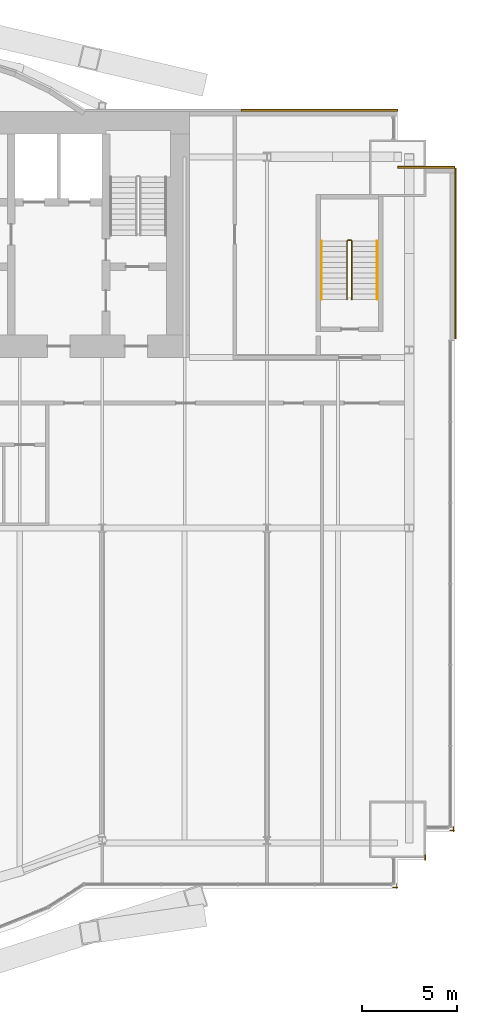
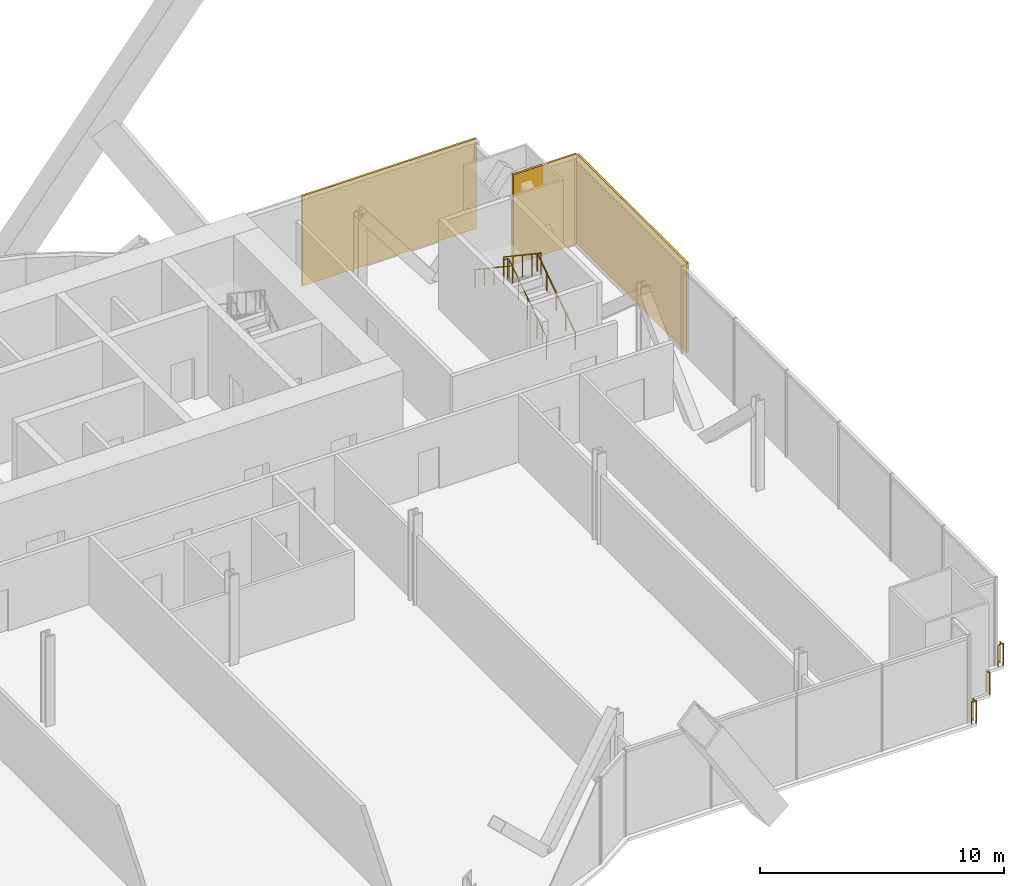
# One storey, part 23 of 23: 6 railings, 3 coverings.
"""IFC4 building model written with IfcOpenShell, lengths in metres."""

from ifc_helpers import new_model, si_unit, direction, frame, origin, origin_2d, place, context, subcontext, project, spatial, rectangle, circle, extrude, material, layer, layer_set, type_object, element, save


model = new_model("IFC4")

# Units and contexts
model_context = context("Model", 3, precision=1e-05, world=origin(), true_north=direction((0.0, 1.0)))
body_context = subcontext(model_context, "Body", "Model", "MODEL_VIEW")
ifc_project = project(units=[si_unit("LENGTHUNIT", "METRE"), si_unit("AREAUNIT", "SQUARE_METRE"), si_unit("VOLUMEUNIT", "CUBIC_METRE"), si_unit("PLANEANGLEUNIT", "RADIAN"), si_unit("MASSUNIT", "GRAM", prefix="KILO")], contexts=[model_context])

# Site, building, storey
site_placement = place(None, origin())
site = spatial("IfcSite", under=ifc_project, at=site_placement, CompositionType="ELEMENT")
building_placement = place(site_placement, origin())
building = spatial("IfcBuilding", under=site, at=building_placement, Name="Bicima Exchange Tower", CompositionType="ELEMENT")
storey_placement = place(building_placement, frame((0.0, 0.0, 53.0)))
storey = spatial("IfcBuildingStorey", under=building, at=storey_placement, Name="L10", CompositionType="ELEMENT", Elevation=53.0)

# Coverings
ifc_material_1 = material(Name="Bronze metal cladding")
ifc_layer_1 = layer(ifc_material_1, 0.004)
ifc_material_2 = material(Name="Ventilated cavity")
ifc_layer_2 = layer(ifc_material_2, 0.06)
ifc_material_3 = material(Name="Galvanised steel rail and mineral wool", Category="steel")
ifc_layer_3 = layer(ifc_material_3, 0.036)
ifc_layer_set = layer_set([ifc_layer_1, ifc_layer_2, ifc_layer_3], Name="Ventilated cavity")
covering_type = type_object("IfcCoveringType", Name="Bronze metal cladding panel 100", PredefinedType="CLADDING", material=ifc_layer_set)
covering_1_placement = place(storey_placement, frame((28.875, 0.050048828125, -0.14990234375), z_axis=(0.0, 0.0, 1.0), x_axis=(-1.0, 0.0, 0.0)))
element("IfcCovering", 1, at=covering_1_placement, inside=storey, type_object=covering_type, Name="Bronze cladding L10 1.1", PredefinedType="CLADDING", context=body_context, shape_type="SweptSolid", body=[
    extrude(rectangle(XDim=8.25, YDim=0.10009765625, at=origin_2d()), origin(), (0.0, 0.0, 1.0), 4.5),
])
covering_2_placement = place(storey_placement, frame((36.050048828125, -7.5, -0.14990234375), z_axis=(0.0, 0.0, 1.0), x_axis=(0.0, 1.0, 0.0)))
element("IfcCovering", 2, at=covering_2_placement, inside=storey, type_object=covering_type, Name="Bronze cladding L10 50.1", PredefinedType="CLADDING", context=body_context, shape_type="SweptSolid", body=[
    extrude(rectangle(XDim=9.0, YDim=0.10009765625, at=origin_2d()), origin(), (0.0, 0.0, 1.0), 4.5),
])
covering_3_placement = place(storey_placement, frame((34.5, -2.949951171875, -0.14990234375), z_axis=(0.0, 0.0, 1.0), x_axis=(-1.0, 0.0, 0.0)))
element("IfcCovering", 3, at=covering_3_placement, inside=storey, type_object=covering_type, Name="Bronze cladding L10 51.1", PredefinedType="CLADDING", context=body_context, shape_type="SweptSolid", body=[
    extrude(rectangle(XDim=3.0, YDim=0.10009765625, at=origin_2d()), origin(), (0.0, 0.0, 1.0), 4.5),
])

# Railings
ifc_material_4 = material(Name="Stainless steel and bonded safety glass", Category="steel")
railing_type_1 = type_object("IfcRailingType", Name="Edge guard 1100", PredefinedType="GUARDRAIL", material=ifc_material_4)
railing_1_placement = place(storey_placement, frame((35.949951171875, -37.77587890625, 0.0)))
element("IfcRailing", 4, at=railing_1_placement, inside=storey, type_object=railing_type_1, Name="Edge guard L10 40", PredefinedType="GUARDRAIL", context=body_context, shape_type="SweptSolid", body=[
    extrude(circle(Radius=0.02392578125, at=origin_2d()), frame((0.0, 0.0, 1.076171875), z_axis=(0.0, -1.0, 0.0), x_axis=(1.0, 0.0, 0.0)), (0.0, 0.0, 1.0), 0.248046875),
    extrude(circle(Radius=0.02392578125, at=origin_2d()), frame((0.0, -0.248046875, 1.076171875), z_axis=(0.708833529934, 0.705375805398, 0.0), x_axis=(-0.705375805398, 0.708833529934, 0.0)), (0.0, 0.0, 1.0), 0.070556640625),
    extrude(circle(Radius=0.02392578125, at=origin_2d()), frame((0.050048828125, -0.1982421875, 1.076171875), z_axis=(-1.0, 0.0, 0.0), x_axis=(0.0, -1.0, 0.0)), (0.0, 0.0, 1.0), 0.25),
    extrude(circle(Radius=0.02099609375, at=origin_2d()), origin(), (0.0, 0.0, 1.0), 1.052001953125),
    extrude(circle(Radius=0.02099609375, at=origin_2d()), frame((0.0, -0.248046875, 0.0)), (0.0, 0.0, 1.0), 1.052001953125),
    extrude(circle(Radius=0.02099609375, at=origin_2d()), frame((0.050048828125, -0.1982421875, 0.0)), (0.0, 0.0, 1.0), 1.052001953125),
    extrude(circle(Radius=0.02099609375, at=origin_2d()), frame((-0.199951171875, -0.1982421875, 0.0)), (0.0, 0.0, 1.0), 1.052001953125),
])
railing_2_placement = place(storey_placement, frame((34.449951171875, -39.27392578125, 0.0)))
element("IfcRailing", 5, at=railing_2_placement, inside=storey, type_object=railing_type_1, Name="Edge guard L10 41", PredefinedType="GUARDRAIL", context=body_context, shape_type="SweptSolid", body=[
    extrude(circle(Radius=0.02392578125, at=origin_2d()), frame((0.0, 0.0, 1.076171875), z_axis=(0.0, -1.0, 0.0), x_axis=(1.0, 0.0, 0.0)), (0.0, 0.0, 1.0), 0.25),
    extrude(circle(Radius=0.02099609375, at=origin_2d()), origin(), (0.0, 0.0, 1.0), 1.052001953125),
    extrude(circle(Radius=0.02099609375, at=origin_2d()), frame((0.0, -0.25, 0.0)), (0.0, 0.0, 1.0), 1.052001953125),
])
railing_3_placement = place(storey_placement, frame((32.949951171875, -40.77392578125, 0.0)))
element("IfcRailing", 6, at=railing_3_placement, inside=storey, type_object=railing_type_1, Name="Edge guard L10 42", PredefinedType="GUARDRAIL", context=body_context, shape_type="SweptSolid", body=[
    extrude(circle(Radius=0.02392578125, at=origin_2d()), frame((0.0, 0.0, 1.076171875), z_axis=(0.0, -1.0, 0.0), x_axis=(1.0, 0.0, 0.0)), (0.0, 0.0, 1.0), 0.25),
    extrude(circle(Radius=0.02392578125, at=origin_2d()), frame((0.0, -0.25, 1.076171875), z_axis=(0.708833529934, 0.705375805398, 0.0), x_axis=(-0.705375805398, 0.708833529934, 0.0)), (0.0, 0.0, 1.0), 0.070556640625),
    extrude(circle(Radius=0.02392578125, at=origin_2d()), frame((0.050048828125, -0.2001953125, 1.076171875), z_axis=(-1.0, 0.0, 0.0), x_axis=(0.0, -1.0, 0.0)), (0.0, 0.0, 1.0), 0.25),
    extrude(circle(Radius=0.02099609375, at=origin_2d()), origin(), (0.0, 0.0, 1.0), 1.052001953125),
    extrude(circle(Radius=0.02099609375, at=origin_2d()), frame((0.0, -0.25, 0.0)), (0.0, 0.0, 1.0), 1.052001953125),
    extrude(circle(Radius=0.02099609375, at=origin_2d()), frame((0.050048828125, -0.2001953125, 0.0)), (0.0, 0.0, 1.0), 1.052001953125),
    extrude(circle(Radius=0.02099609375, at=origin_2d()), frame((-0.199951171875, -0.2001953125, 0.0)), (0.0, 0.0, 1.0), 1.052001953125),
])
ifc_material_5 = material(Name="Stainless steel", Category="steel")
railing_type_2 = type_object("IfcRailingType", Name="Stair guard 1100", PredefinedType="GUARDRAIL", material=ifc_material_5)
railing_4_placement = place(storey_placement, frame((30.574951171875, -9.925048828125, 0.1875)))
element("IfcRailing", 7, at=railing_4_placement, inside=storey, type_object=railing_type_2, Name="L10 ST-EE stair guard 1", PredefinedType="GUARDRAIL", context=body_context, shape_type="SweptSolid", body=[
    extrude(circle(Radius=0.02392578125, at=origin_2d()), frame((0.0, 0.0, 1.076171875), z_axis=(0.0, 0.830913701846, 0.55640131208), x_axis=(-1.0, 0.0, 0.0)), (0.0, 0.0, 1.0), 3.706787109375),
    extrude(circle(Radius=0.02392578125, at=origin_2d()), frame((0.0, 3.080078125, 3.138671875), z_axis=(-0.707106781187, 0.707106781187, 0.0), x_axis=(-0.707106781187, -0.707106781187, 0.0)), (0.0, 0.0, 1.0), 0.07080078125),
    extrude(circle(Radius=0.02392578125, at=origin_2d()), frame((-0.050048828125, 3.130126953125, 3.138671875), z_axis=(-1.0, 0.0, 0.0), x_axis=(0.0, -1.0, 0.0)), (0.0, 0.0, 1.0), 0.14990234375),
    extrude(circle(Radius=0.02392578125, at=origin_2d()), frame((-0.199951171875, 3.130126953125, 3.138671875), z_axis=(-0.249726431254, -0.249726431254, 0.935560483917), x_axis=(0.707106781187, -0.707106781187, 0.0)), (0.0, 0.0, 1.0), 0.200439453125),
    extrude(circle(Radius=0.02392578125, at=origin_2d()), frame((-0.25, 3.080078125, 3.326171875), z_axis=(0.0, -0.830913701846, 0.55640131208), x_axis=(1.0, 0.0, 0.0)), (0.0, 0.0, 1.0), 3.706787109375),
    extrude(circle(Radius=0.02099609375, at=origin_2d()), origin(), (0.0, 0.0, 1.0), 1.052001953125),
    extrude(circle(Radius=0.02099609375, at=origin_2d()), frame((0.0, 0.77001953125, 0.515625)), (0.0, 0.0, 1.0), 1.052001953125),
    extrude(circle(Radius=0.02099609375, at=origin_2d()), frame((0.0, 1.5400390625, 1.03125)), (0.0, 0.0, 1.0), 1.052001953125),
    extrude(circle(Radius=0.02099609375, at=origin_2d()), frame((0.0, 2.31005859375, 1.546875)), (0.0, 0.0, 1.0), 1.052001953125),
    extrude(circle(Radius=0.02099609375, at=origin_2d()), frame((0.0, 3.080078125, 2.0625)), (0.0, 0.0, 1.0), 1.052001953125),
    extrude(circle(Radius=0.02099609375, at=origin_2d()), frame((-0.050048828125, 3.130126953125, 2.0625)), (0.0, 0.0, 1.0), 1.052001953125),
    extrude(circle(Radius=0.02099609375, at=origin_2d()), frame((-0.199951171875, 3.130126953125, 2.0625)), (0.0, 0.0, 1.0), 1.052001953125),
    extrude(circle(Radius=0.02099609375, at=origin_2d()), frame((-0.25, 3.080078125, 2.25)), (0.0, 0.0, 1.0), 1.052001953125),
    extrude(circle(Radius=0.02099609375, at=origin_2d()), frame((-0.25, 2.31005859375, 2.765625)), (0.0, 0.0, 1.0), 1.052001953125),
    extrude(circle(Radius=0.02099609375, at=origin_2d()), frame((-0.25, 1.5400390625, 3.28125)), (0.0, 0.0, 1.0), 1.052001953125),
    extrude(circle(Radius=0.02099609375, at=origin_2d()), frame((-0.25, 0.77001953125, 3.796875)), (0.0, 0.0, 1.0), 1.052001953125),
    extrude(circle(Radius=0.02099609375, at=origin_2d()), frame((-0.25, 0.0, 4.3125)), (0.0, 0.0, 1.0), 1.052001953125),
])
railing_type_3 = type_object("IfcRailingType", Name="Stair handrail 900", PredefinedType="HANDRAIL", material=ifc_material_5)
railing_5_placement = place(storey_placement, frame((31.925048828125, -9.925048828125, 0.1875)))
element("IfcRailing", 8, at=railing_5_placement, inside=storey, type_object=railing_type_3, Name="L10 ST-EE stair handrail 1", PredefinedType="HANDRAIL", context=body_context, shape_type="SweptSolid", body=[
    extrude(circle(Radius=0.02392578125, at=origin_2d()), frame((0.0, 0.0, 0.8759765625), z_axis=(0.0, 0.830913701846, 0.55640131208), x_axis=(-1.0, 0.0, 0.0)), (0.0, 0.0, 1.0), 3.706787109375),
    extrude(circle(Radius=0.02099609375, at=origin_2d()), origin(), (0.0, 0.0, 1.0), 0.851806640625),
    extrude(circle(Radius=0.02099609375, at=origin_2d()), frame((0.0, 0.77001953125, 0.515625)), (0.0, 0.0, 1.0), 0.851806640625),
    extrude(circle(Radius=0.02099609375, at=origin_2d()), frame((0.0, 1.5400390625, 1.03125)), (0.0, 0.0, 1.0), 0.851806640625),
    extrude(circle(Radius=0.02099609375, at=origin_2d()), frame((0.0, 2.31005859375, 1.546875)), (0.0, 0.0, 1.0), 0.851806640625),
    extrude(circle(Radius=0.02099609375, at=origin_2d()), frame((0.0, 3.080078125, 2.0625)), (0.0, 0.0, 1.0), 0.851806640625),
])
railing_6_placement = place(storey_placement, frame((28.97509765625, -6.844970703125, 2.47900390625)))
element("IfcRailing", 9, at=railing_6_placement, inside=storey, type_object=railing_type_3, Name="L10 ST-EE stair handrail 2", PredefinedType="HANDRAIL", context=body_context, shape_type="SweptSolid", body=[
    extrude(circle(Radius=0.02392578125, at=origin_2d()), frame((0.0, 0.0, 0.8759765625), z_axis=(0.0, -0.830913701846, 0.55640131208), x_axis=(1.0, 0.0, 0.0)), (0.0, 0.0, 1.0), 3.706787109375),
    extrude(circle(Radius=0.02099609375, at=origin_2d()), origin(), (0.0, 0.0, 1.0), 0.851806640625),
    extrude(circle(Radius=0.02099609375, at=origin_2d()), frame((0.0, -0.77001953125, 0.515625)), (0.0, 0.0, 1.0), 0.851806640625),
    extrude(circle(Radius=0.02099609375, at=origin_2d()), frame((0.0, -1.5400390625, 1.03125)), (0.0, 0.0, 1.0), 0.851806640625),
    extrude(circle(Radius=0.02099609375, at=origin_2d()), frame((0.0, -2.31005859375, 1.546875)), (0.0, 0.0, 1.0), 0.851806640625),
    extrude(circle(Radius=0.02099609375, at=origin_2d()), frame((0.0, -3.080078125, 2.0625)), (0.0, 0.0, 1.0), 0.851806640625),
])

save(model, "model.ifc")
